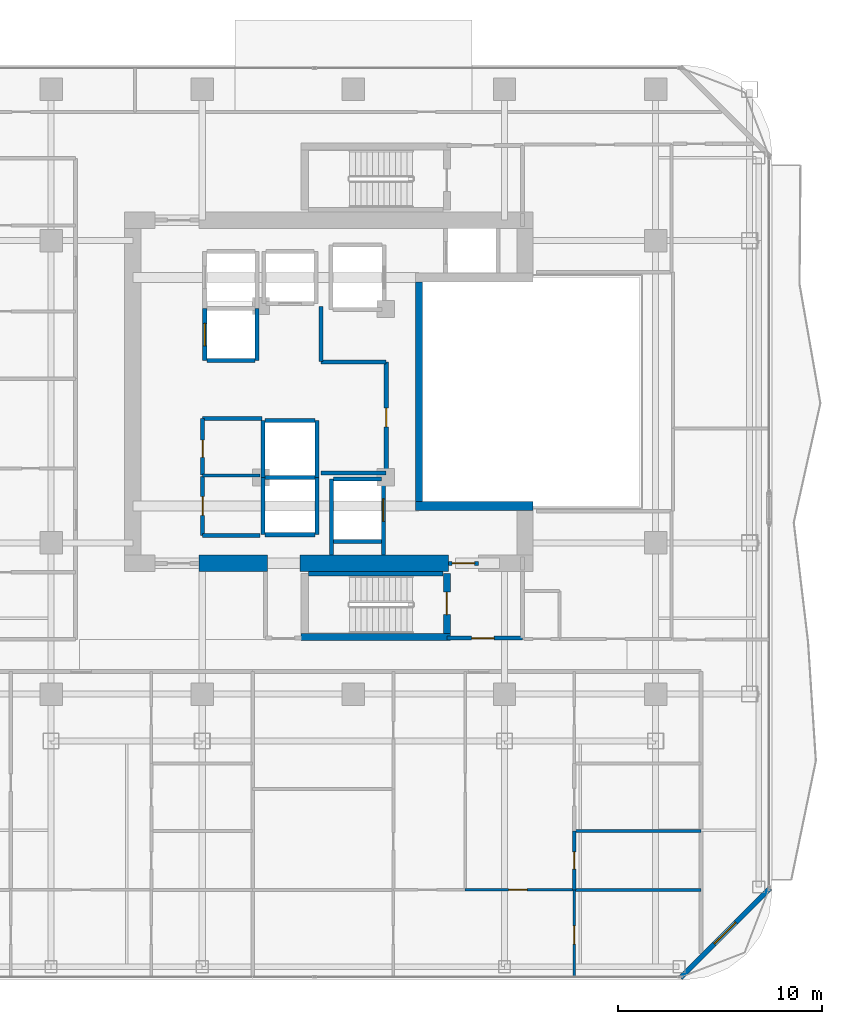
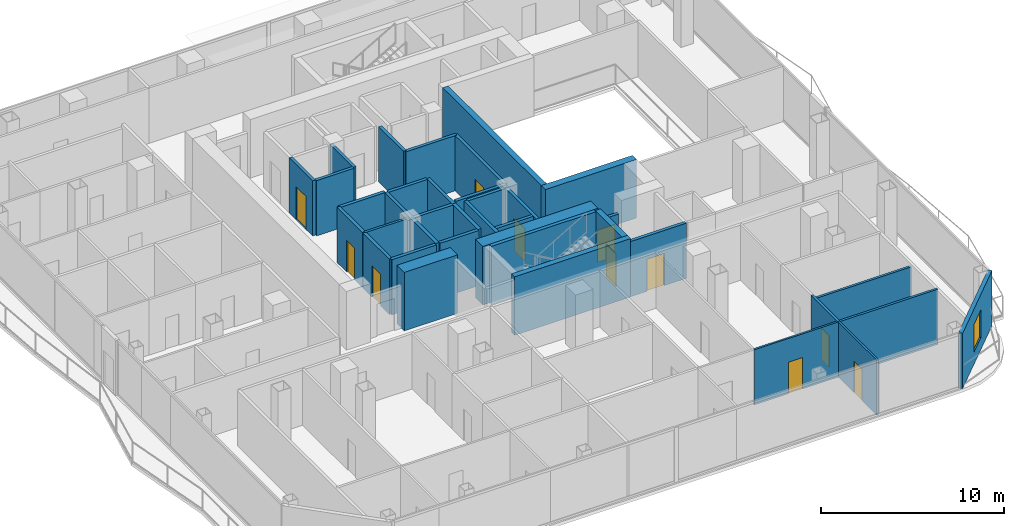
# One storey, part 18 of 23: 38 walls, 11 doors, 1 window, 12 openings.
"""IFC4 building model written with IfcOpenShell, lengths in metres."""

from ifc_helpers import new_model, si_unit, direction, frame, frame_2d, origin, place, context, subcontext, project, spatial, rectangle, extrude, material, layer, layer_set, type_object, element, fill, save


model = new_model("IFC4")

# Units and contexts
model_context = context("Model", 3, precision=1e-05, world=origin(), true_north=direction((0.0, 1.0)))
body_context = subcontext(model_context, "Body", "Model", "MODEL_VIEW")
ifc_project = project(units=[si_unit("LENGTHUNIT", "METRE"), si_unit("AREAUNIT", "SQUARE_METRE"), si_unit("VOLUMEUNIT", "CUBIC_METRE"), si_unit("PLANEANGLEUNIT", "RADIAN"), si_unit("MASSUNIT", "GRAM", prefix="KILO")], contexts=[model_context])

# Site, building, storey
site_placement = place(None, origin())
site = spatial("IfcSite", under=ifc_project, at=site_placement, CompositionType="ELEMENT")
building_placement = place(site_placement, origin())
building = spatial("IfcBuilding", under=site, at=building_placement, Name="Khorvyn Point Tower", CompositionType="ELEMENT")
storey_placement = place(building_placement, frame((0.0, 0.0, 195.300048828125)))
storey = spatial("IfcBuildingStorey", under=building, at=storey_placement, Name="L48", CompositionType="ELEMENT", Elevation=195.300048828125)

# Wall, opening, window
ifc_material_1 = material(Name="Pale anodised aluminium rainscreen on steel stud", Category="steel")
ifc_layer_1 = layer(ifc_material_1, 0.239990234375)
ifc_layer_set_1 = layer_set([ifc_layer_1], Name="Anodised Aluminium Insulated Corner Spandrel Wall 240")
wall_type_1 = type_object("IfcWallType", Name="Anodised Aluminium Insulated Corner Spandrel Wall 240", PredefinedType="SOLIDWALL", material=ifc_layer_set_1)
wall_1_placement = place(storey_placement, frame((20.392333984375, -24.3076171875, 0.0), z_axis=(0.0, 0.0, 1.0), x_axis=(-0.707106781187, -0.707106781187, 0.0)))
wall_1 = element("IfcWall", 1, at=wall_1_placement, inside=storey, type_object=wall_type_1, Name="L48 Rounded Corner Wall SE", PredefinedType="SOLIDWALL", context=body_context, shape_type="SweptSolid", body=[
    extrude(rectangle(XDim=6.200927734375, YDim=0.239990234375, at=frame_2d((3.1005859375, 0.0))), origin(), (0.0, 0.0, 1.0), 3.679931640625),
])
opening_1_placement = place(wall_1_placement, frame((2.3505859375, 0.0, 0.800048828125)))
opening_1 = element("IfcOpeningElement", 2, at=opening_1_placement, cuts=wall_1, Name="Opening WN-1518", PredefinedType="OPENING", context=body_context, shape_type="SweptSolid", body=[
    extrude(rectangle(XDim=1.5, YDim=1.85009765625, at=frame_2d((0.75, 0.925048828125))), frame((0.0, 0.1298828125, 0.0), z_axis=(0.0, -1.0, 0.0), x_axis=(1.0, 0.0, 0.0)), (0.0, 0.0, 1.0), 0.260009765625),
])
ifc_material_2 = material(Name="Anodised aluminium 6063-T6 and laminated Low-E glass", Category="aluminium")
window_type = type_object("IfcWindowType", Name="Anodised Aluminium Rounded-Corner Panoramic Window 1500x1850", PartitioningType="SINGLE_PANEL", PredefinedType="WINDOW", material=ifc_material_2)
window_placement = place(opening_1_placement, origin())
window = element("IfcWindow", 3, at=window_placement, inside=storey, type_object=window_type, Name="L48 Corner Panoramic Window SE", OverallHeight=1.85009765625, OverallWidth=1.5, PartitioningType="SINGLE_PANEL", PredefinedType="WINDOW", context=body_context, shape_type="SweptSolid", body=[
    extrude(rectangle(XDim=1.5, YDim=1.85009765625, at=frame_2d((0.75, 0.925048828125))), frame((0.0, 0.030029296875, 0.0), z_axis=(0.0, -1.0, 0.0), x_axis=(1.0, 0.0, 0.0)), (0.0, 0.0, 1.0), 0.06005859375),
])
fill(opening_1, window)

# Wall
ifc_material_3 = material(Name="Concrete C40/50", Category="concrete")
ifc_layer_2 = layer(ifc_material_3, 0.449951171875)
ifc_layer_set_2 = layer_set([ifc_layer_2], Name="Concrete C40/50 Core Shear Wall 450")
wall_type_2 = type_object("IfcWallType", Name="Concrete C40/50 Core Shear Wall 450", PredefinedType="SHEAR", material=ifc_layer_set_2)
wall_2_placement = place(storey_placement, frame((3.044921875, -5.60009765625, 0.0), z_axis=(0.0, 0.0, 1.0), x_axis=(1.0, 0.0, 0.0)))
element("IfcWall", 4, at=wall_2_placement, inside=storey, type_object=wall_type_2, Name="Wall", PredefinedType="SHEAR", context=body_context, shape_type="SweptSolid", body=[
    extrude(rectangle(XDim=5.755126953125, YDim=0.449951171875, at=frame_2d((2.87744140625, 0.0))), origin(), (0.0, 0.0, 1.0), 3.89990234375),
])

# Wall, opening, door
ifc_layer_3 = layer(ifc_material_3, 0.199951171875)
ifc_layer_set_3 = layer_set([ifc_layer_3], Name="Concrete C40/50 Fire-Lobby Compartment Wall 200")
wall_type_3 = type_object("IfcWallType", Name="Concrete C40/50 Fire-Lobby Compartment Wall 200", PredefinedType="SOLIDWALL", material=ifc_layer_set_3)
wall_3_placement = place(storey_placement, frame((4.580078125, -12.06005859375, 0.0), z_axis=(0.0, 0.0, 1.0), x_axis=(1.0, 0.0, 0.0)))
wall_3 = element("IfcWall", 5, at=wall_3_placement, inside=storey, type_object=wall_type_3, Name="Wall", PredefinedType="SOLIDWALL", context=body_context, shape_type="SweptSolid", body=[
    extrude(rectangle(XDim=3.699951171875, YDim=0.199951171875, at=frame_2d((1.85009765625, 0.0))), origin(), (0.0, 0.0, 1.0), 3.679931640625),
])
opening_2_placement = place(wall_3_placement, frame((1.21240234375, 0.0, 0.0)))
opening_2 = element("IfcOpeningElement", 6, at=opening_2_placement, cuts=wall_3, Name="Opening ID-FL90", PredefinedType="OPENING", context=body_context, shape_type="SweptSolid", body=[
    extrude(rectangle(XDim=1.10009765625, YDim=2.14990234375, at=frame_2d((0.550048828125, 1.074951171875))), frame((0.0, 0.10986328125, 0.0), z_axis=(0.0, -1.0, 0.0), x_axis=(1.0, 0.0, 0.0)), (0.0, 0.0, 1.0), 0.219970703125),
])
ifc_material_4 = material(Name="Galvanised powder-coated steel", Category="steel")
door_type_1 = type_object("IfcDoorType", Name="Fire-Rated Steel Lobby and Stair Door 1100x2150", OperationType="NOTDEFINED", PredefinedType="DOOR", material=ifc_material_4)
door_1_placement = place(opening_2_placement, origin())
door_1 = element("IfcDoor", 7, at=door_1_placement, inside=storey, type_object=door_type_1, Name="Door", OperationType="SINGLE_SWING_LEFT", OverallHeight=2.14990234375, OverallWidth=1.10009765625, PredefinedType="DOOR", context=body_context, shape_type="SweptSolid", body=[
    extrude(rectangle(XDim=1.10009765625, YDim=2.14990234375, at=frame_2d((0.550048828125, 1.074951171875))), frame((0.0, 0.02490234375, 0.0), z_axis=(0.0, -1.0, 0.0), x_axis=(1.0, 0.0, 0.0)), (0.0, 0.0, 1.0), 0.050048828125),
])
fill(opening_2, door_1)

wall_4_placement = place(storey_placement, frame((4.64990234375, -8.39990234375, 0.0), z_axis=(0.0, 0.0, 1.0), x_axis=(1.0, 0.0, 0.0)))
wall_4 = element("IfcWall", 8, at=wall_4_placement, inside=storey, type_object=wall_type_3, Name="Wall", PredefinedType="SOLIDWALL", context=body_context, shape_type="SweptSolid", body=[
    extrude(rectangle(XDim=1.47021484375, YDim=0.199951171875, at=frame_2d((0.735107421875, 0.0))), origin(), (0.0, 0.0, 1.0), 2.820068359375),
])
opening_3_placement = place(wall_4_placement, frame((0.18505859375, 0.0, 0.0)))
opening_3 = element("IfcOpeningElement", 9, at=opening_3_placement, cuts=wall_4, Name="Opening ID-FL90", PredefinedType="OPENING", context=body_context, shape_type="SweptSolid", body=[
    extrude(rectangle(XDim=1.10009765625, YDim=2.14990234375, at=frame_2d((0.550048828125, 1.074951171875))), frame((0.0, 0.10986328125, 0.0), z_axis=(0.0, -1.0, 0.0), x_axis=(1.0, 0.0, 0.0)), (0.0, 0.0, 1.0), 0.219970703125),
])
door_2_placement = place(opening_3_placement, origin())
door_2 = element("IfcDoor", 10, at=door_2_placement, inside=storey, type_object=door_type_1, Name="Door", OperationType="SINGLE_SWING_RIGHT", OverallHeight=2.14990234375, OverallWidth=1.10009765625, PredefinedType="DOOR", context=body_context, shape_type="SweptSolid", body=[
    extrude(rectangle(XDim=1.10009765625, YDim=2.14990234375, at=frame_2d((0.550048828125, 1.074951171875))), frame((0.0, 0.02490234375, 0.0), z_axis=(0.0, -1.0, 0.0), x_axis=(1.0, 0.0, 0.0)), (0.0, 0.0, 1.0), 0.050048828125),
])
fill(opening_3, door_2)

wall_5_placement = place(storey_placement, frame((1.610107421875, -3.97998046875, 0.0), z_axis=(0.0, 0.0, 1.0), x_axis=(0.0, 1.0, 0.0)))
wall_5 = element("IfcWall", 11, at=wall_5_placement, inside=storey, type_object=wall_type_3, Name="Wall", PredefinedType="SOLIDWALL", context=body_context, shape_type="SweptSolid", body=[
    extrude(rectangle(XDim=5.43994140625, YDim=0.199951171875, at=frame_2d((2.719970703125, 0.0))), origin(), (0.0, 0.0, 1.0), 3.679931640625),
])
opening_4_placement = place(wall_5_placement, frame((2.260009765625, 0.0, 0.0)))
opening_4 = element("IfcOpeningElement", 12, at=opening_4_placement, cuts=wall_5, Name="Opening ID-RS60", PredefinedType="OPENING", context=body_context, shape_type="SweptSolid", body=[
    extrude(rectangle(XDim=0.919921875, YDim=2.10009765625, at=frame_2d((0.4599609375, 1.050048828125))), frame((0.0, 0.10986328125, 0.0), z_axis=(0.0, -1.0, 0.0), x_axis=(1.0, 0.0, 0.0)), (0.0, 0.0, 1.0), 0.219970703125),
])
door_type_2 = type_object("IfcDoorType", Name="Fire-Rated Riser and Store Steel Door 920x2100", OperationType="NOTDEFINED", PredefinedType="DOOR", material=ifc_material_4)
door_3_placement = place(opening_4_placement, origin())
door_3 = element("IfcDoor", 13, at=door_3_placement, inside=storey, type_object=door_type_2, Name="Door", OperationType="SINGLE_SWING_LEFT", OverallHeight=2.10009765625, OverallWidth=0.919921875, PredefinedType="DOOR", context=body_context, shape_type="SweptSolid", body=[
    extrude(rectangle(XDim=0.919921875, YDim=2.10009765625, at=frame_2d((0.4599609375, 1.050048828125))), frame((0.0, 0.02490234375, 0.0), z_axis=(0.0, -1.0, 0.0), x_axis=(1.0, 0.0, 0.0)), (0.0, 0.0, 1.0), 0.050048828125),
])
fill(opening_4, door_3)

wall_6_placement = place(storey_placement, frame((-7.3798828125, -7.0400390625, 0.0), z_axis=(0.0, 0.0, 1.0), x_axis=(0.0, 1.0, 0.0)))
wall_6 = element("IfcWall", 14, at=wall_6_placement, inside=storey, type_object=wall_type_3, Name="Wall", PredefinedType="SOLIDWALL", context=body_context, shape_type="SweptSolid", body=[
    extrude(rectangle(XDim=2.900146484375, YDim=0.199951171875, at=frame_2d((1.4501953125, 0.0))), origin(), (0.0, 0.0, 1.0), 3.679931640625),
])
opening_5_placement = place(wall_6_placement, frame((0.989990234375, 0.0, 0.0)))
opening_5 = element("IfcOpeningElement", 15, at=opening_5_placement, cuts=wall_6, Name="Opening ID-RS60", PredefinedType="OPENING", context=body_context, shape_type="SweptSolid", body=[
    extrude(rectangle(XDim=0.919921875, YDim=2.10009765625, at=frame_2d((0.4599609375, 1.050048828125))), frame((0.0, 0.10986328125, 0.0), z_axis=(0.0, -1.0, 0.0), x_axis=(1.0, 0.0, 0.0)), (0.0, 0.0, 1.0), 0.219970703125),
])
door_4_placement = place(opening_5_placement, origin())
door_4 = element("IfcDoor", 16, at=door_4_placement, inside=storey, type_object=door_type_2, Name="Door", OperationType="SINGLE_SWING_RIGHT", OverallHeight=2.10009765625, OverallWidth=0.919921875, PredefinedType="DOOR", context=body_context, shape_type="SweptSolid", body=[
    extrude(rectangle(XDim=0.919921875, YDim=2.10009765625, at=frame_2d((0.4599609375, 1.050048828125))), frame((0.0, 0.02490234375, 0.0), z_axis=(0.0, -1.0, 0.0), x_axis=(1.0, 0.0, 0.0)), (0.0, 0.0, 1.0), 0.050048828125),
])
fill(opening_5, door_4)

wall_7_placement = place(storey_placement, frame((-7.3798828125, -4.080078125, 0.0), z_axis=(0.0, 0.0, 1.0), x_axis=(0.0, 1.0, 0.0)))
wall_7 = element("IfcWall", 17, at=wall_7_placement, inside=storey, type_object=wall_type_3, Name="Wall", PredefinedType="SOLIDWALL", context=body_context, shape_type="SweptSolid", body=[
    extrude(rectangle(XDim=2.760009765625, YDim=0.199951171875, at=frame_2d((1.3798828125, 0.0))), origin(), (0.0, 0.0, 1.0), 3.679931640625),
])
opening_6_placement = place(wall_7_placement, frame((0.86669921875, 0.0, 0.0)))
opening_6 = element("IfcOpeningElement", 18, at=opening_6_placement, cuts=wall_7, Name="Opening ID-WC85", PredefinedType="OPENING", context=body_context, shape_type="SweptSolid", body=[
    extrude(rectangle(XDim=0.85009765625, YDim=2.10009765625, at=frame_2d((0.425048828125, 1.050048828125))), frame((0.0, 0.10986328125, 0.0), z_axis=(0.0, -1.0, 0.0), x_axis=(1.0, 0.0, 0.0)), (0.0, 0.0, 1.0), 0.219970703125),
])
ifc_material_5 = material(Name="High-pressure laminate on moisture-resistant core", Category="wood")
door_type_3 = type_object("IfcDoorType", Name="Moisture-Resistant Accessible Washroom Door 850x2100", OperationType="NOTDEFINED", PredefinedType="DOOR", material=ifc_material_5)
door_5_placement = place(opening_6_placement, origin())
door_5 = element("IfcDoor", 19, at=door_5_placement, inside=storey, type_object=door_type_3, Name="Door", OperationType="SINGLE_SWING_LEFT", OverallHeight=2.10009765625, OverallWidth=0.85009765625, PredefinedType="DOOR", context=body_context, shape_type="SweptSolid", body=[
    extrude(rectangle(XDim=0.85009765625, YDim=2.10009765625, at=frame_2d((0.425048828125, 1.050048828125))), frame((0.0, 0.02490234375, 0.0), z_axis=(0.0, -1.0, 0.0), x_axis=(1.0, 0.0, 0.0)), (0.0, 0.0, 1.0), 0.050048828125),
])
fill(opening_6, door_5)

# Walls
wall_8_placement = place(storey_placement, frame((-7.3798828125, -1.320068359375, 0.0), z_axis=(0.0, 0.0, 1.0), x_axis=(1.0, 0.0, 0.0)))
element("IfcWall", 20, at=wall_8_placement, inside=storey, type_object=wall_type_3, Name="Wall", PredefinedType="SOLIDWALL", context=body_context, shape_type="SweptSolid", body=[
    extrude(rectangle(XDim=2.909912109375, YDim=0.199951171875, at=frame_2d((1.455078125, 0.0))), origin(), (0.0, 0.0, 1.0), 3.679931640625),
])
wall_9_placement = place(storey_placement, frame((-1.580078125, 1.47998046875, 0.0), z_axis=(0.0, 0.0, 1.0), x_axis=(0.0, 1.0, 0.0)))
element("IfcWall", 21, at=wall_9_placement, inside=storey, type_object=wall_type_3, Name="Wall", PredefinedType="SOLIDWALL", context=body_context, shape_type="SweptSolid", body=[
    extrude(rectangle(XDim=2.699951171875, YDim=0.199951171875, at=frame_2d((1.35009765625, 0.0))), origin(), (0.0, 0.0, 1.0), 3.679931640625),
])
for number, where, z_axis, x_axis, name in (
    (22, (-1.580078125, -3.97998046875, 0.0), (0.0, 0.0, 1.0), (1.0, 0.0, 0.0), "Wall"),
    (23, (-1.580078125, 1.4599609375, 0.0), (0.0, 0.0, 1.0), (1.0, 0.0, 0.0), "Wall"),
):
    element("IfcWall", number, at=place(storey_placement, frame(where, z_axis=z_axis, x_axis=x_axis)), inside=storey, type_object=wall_type_3, Name=name, PredefinedType="SOLIDWALL", context=body_context, shape_type="SweptSolid", body=[
        extrude(rectangle(XDim=3.190185546875, YDim=0.199951171875, at=frame_2d((1.59521484375, 0.0))), origin(), (0.0, 0.0, 1.0), 3.679931640625),
    ])
wall_10_placement = place(storey_placement, frame((-7.3798828125, -7.0400390625, 0.0), z_axis=(0.0, 0.0, 1.0), x_axis=(1.0, 0.0, 0.0)))
element("IfcWall", 24, at=wall_10_placement, inside=storey, type_object=wall_type_3, Name="Wall", PredefinedType="SOLIDWALL", context=body_context, shape_type="SweptSolid", body=[
    extrude(rectangle(XDim=2.7998046875, YDim=0.199951171875, at=frame_2d((1.39990234375, 0.0))), origin(), (0.0, 0.0, 1.0), 3.679931640625),
])
ifc_layer_4 = layer(ifc_material_3, 0.25)
ifc_layer_set_4 = layer_set([ifc_layer_4], Name="Concrete C40/50 Stair Inner Cheek Structural Wall 250")
wall_type_4 = type_object("IfcWallType", Name="Concrete C40/50 Stair Inner Cheek Structural Wall 250", PredefinedType="SHEAR", material=ifc_layer_set_4)
wall_11_placement = place(storey_placement, frame((-2.199951171875, -8.91259765625, 0.0), z_axis=(0.0, 0.0, 1.0), x_axis=(1.0, 0.0, 0.0)))
element("IfcWall", 25, at=wall_11_placement, inside=storey, type_object=wall_type_4, Name="Wall", PredefinedType="SHEAR", context=body_context, shape_type="SweptSolid", body=[
    extrude(rectangle(XDim=6.599853515625, YDim=0.22509765625, at=frame_2d((3.2998046875, 0.0))), origin(), (0.0, 0.0, 1.0), 3.89990234375),
])
ifc_layer_5 = layer(ifc_material_3, 0.35009765625)
ifc_layer_set_5 = layer_set([ifc_layer_5], Name="Concrete C40/50 Stair Shaft Structural Wall 350")
wall_type_5 = type_object("IfcWallType", Name="Concrete C40/50 Stair Shaft Structural Wall 350", PredefinedType="SHEAR", material=ifc_layer_set_5)
wall_12_placement = place(storey_placement, frame((3.219970703125, -5.375, 0.0), z_axis=(0.0, 0.0, 1.0), x_axis=(0.0, 1.0, 0.0)))
element("IfcWall", 26, at=wall_12_placement, inside=storey, type_object=wall_type_5, Name="Wall", PredefinedType="SHEAR", context=body_context, shape_type="SweptSolid", body=[
    extrude(rectangle(XDim=10.75, YDim=0.35009765625, at=frame_2d((5.375, 0.0))), origin(), (0.0, 0.0, 1.0), 3.89990234375),
])
wall_13_placement = place(storey_placement, frame((-2.554931640625, -12.0, 0.0), z_axis=(0.0, 0.0, 1.0), x_axis=(1.0, 0.0, 0.0)))
element("IfcWall", 27, at=wall_13_placement, inside=storey, type_object=wall_type_5, Name="L48 ST-01 South Shaft Wall", PredefinedType="SHEAR", context=body_context, shape_type="SweptSolid", body=[
    extrude(rectangle(XDim=7.309814453125, YDim=0.35009765625, at=frame_2d((3.65478515625, 0.0))), origin(), (0.0, 0.0, 1.0), 3.89990234375),
])

# Wall, opening, door
wall_14_placement = place(storey_placement, frame((4.580078125, -8.89990234375, 0.0), z_axis=(0.0, 0.0, 1.0), x_axis=(0.0, -1.0, 0.0)))
wall_14 = element("IfcWall", 28, at=wall_14_placement, inside=storey, type_object=wall_type_5, Name="L48 ST-01 East Landing Door Wall", PredefinedType="SHEAR", context=body_context, shape_type="SweptSolid", body=[
    extrude(rectangle(XDim=2.925048828125, YDim=0.35009765625, at=frame_2d((1.46240234375, 0.0))), origin(), (0.0, 0.0, 1.0), 3.89990234375),
])
opening_7_placement = place(wall_14_placement, frame((0.91259765625, 0.0, 0.0)))
opening_7 = element("IfcOpeningElement", 29, at=opening_7_placement, cuts=wall_14, Name="Opening ID-FL90", PredefinedType="OPENING", context=body_context, shape_type="SweptSolid", body=[
    extrude(rectangle(XDim=1.10009765625, YDim=2.14990234375, at=frame_2d((0.550048828125, 1.074951171875))), frame((0.0, 0.18505859375, 0.0), z_axis=(0.0, -1.0, 0.0), x_axis=(1.0, 0.0, 0.0)), (0.0, 0.0, 1.0), 0.3701171875),
])
door_6_placement = place(opening_7_placement, origin())
door_6 = element("IfcDoor", 30, at=door_6_placement, inside=storey, type_object=door_type_1, Name="L48 ST-01 Smokeproof Landing Door", OperationType="SINGLE_SWING_RIGHT", OverallHeight=2.14990234375, OverallWidth=1.10009765625, PredefinedType="DOOR", context=body_context, shape_type="SweptSolid", body=[
    extrude(rectangle(XDim=1.10009765625, YDim=2.14990234375, at=frame_2d((0.550048828125, 1.074951171875))), frame((0.0, 0.02490234375, 0.0), z_axis=(0.0, -1.0, 0.0), x_axis=(1.0, 0.0, 0.0)), (0.0, 0.0, 1.0), 0.050048828125),
])
fill(opening_7, door_6)

ifc_layer_6 = layer(ifc_material_3, 0.199951171875)
ifc_layer_set_6 = layer_set([ifc_layer_6], Name="Concrete C40/50 Structural Hoistway and Stair Shaft Wall 200")
wall_type_6 = type_object("IfcWallType", Name="Concrete C40/50 Structural Hoistway and Stair Shaft Wall 200", PredefinedType="SHEAR", material=ifc_layer_set_6)
wall_15_placement = place(storey_placement, frame((-7.27490234375, 1.52490234375, 0.0), z_axis=(0.0, 0.0, 1.0), x_axis=(0.0, 1.0, 0.0)))
wall_15 = element("IfcWall", 31, at=wall_15_placement, inside=storey, type_object=wall_type_6, Name="Wall", PredefinedType="SHEAR", context=body_context, shape_type="SweptSolid", body=[
    extrude(rectangle(XDim=2.550048828125, YDim=0.199951171875, at=frame_2d((1.27490234375, 0.0))), origin(), (0.0, 0.0, 1.0), 3.679931640625),
])
opening_8_placement = place(wall_15_placement, frame((0.72509765625, 0.0, 0.0)))
opening_8 = element("IfcOpeningElement", 32, at=opening_8_placement, cuts=wall_15, Name="Opening LD-1122", PredefinedType="OPENING", context=body_context, shape_type="SweptSolid", body=[
    extrude(rectangle(XDim=1.10009765625, YDim=2.199951171875, at=frame_2d((0.550048828125, 1.10009765625))), frame((0.0, 0.10986328125, 0.0), z_axis=(0.0, -1.0, 0.0), x_axis=(1.0, 0.0, 0.0)), (0.0, 0.0, 1.0), 0.219970703125),
])
ifc_material_6 = material(Name="Stainless steel 1.4301", Category="steel")
door_type_4 = type_object("IfcDoorType", Name="Stainless Steel Automatic Sliding Lift Landing Door 1100x2200", OperationType="SLIDING_TO_LEFT", PredefinedType="DOOR", material=ifc_material_6)
door_7_placement = place(opening_8_placement, origin())
door_7 = element("IfcDoor", 33, at=door_7_placement, inside=storey, type_object=door_type_4, Name="L48 RM-01 Sliding Lift Landing Door", OperationType="SLIDING_TO_LEFT", OverallHeight=2.199951171875, OverallWidth=1.10009765625, PredefinedType="DOOR", context=body_context, shape_type="SweptSolid", body=[
    extrude(rectangle(XDim=1.10009765625, YDim=2.199951171875, at=frame_2d((0.550048828125, 1.10009765625))), frame((0.0, 0.02490234375, 0.0), z_axis=(0.0, -1.0, 0.0), x_axis=(1.0, 0.0, 0.0)), (0.0, 0.0, 1.0), 0.050048828125),
])
fill(opening_8, door_7)

# Walls
wall_16_placement = place(storey_placement, frame((-4.72509765625, 1.52490234375, 0.0), z_axis=(0.0, 0.0, 1.0), x_axis=(0.0, 1.0, 0.0)))
element("IfcWall", 34, at=wall_16_placement, inside=storey, type_object=wall_type_6, Name="Wall", PredefinedType="SHEAR", context=body_context, shape_type="SweptSolid", body=[
    extrude(rectangle(XDim=2.550048828125, YDim=0.199951171875, at=frame_2d((1.27490234375, 0.0))), origin(), (0.0, 0.0, 1.0), 3.679931640625),
])
wall_17_placement = place(storey_placement, frame((-7.175048828125, 1.52490234375, 0.0), z_axis=(0.0, 0.0, 1.0), x_axis=(1.0, 0.0, 0.0)))
element("IfcWall", 35, at=wall_17_placement, inside=storey, type_object=wall_type_6, Name="Wall", PredefinedType="SHEAR", context=body_context, shape_type="SweptSolid", body=[
    extrude(rectangle(XDim=2.35009765625, YDim=0.199951171875, at=frame_2d((1.175048828125, 0.0))), origin(), (0.0, 0.0, 1.0), 3.679931640625),
])
for number, where, z_axis, x_axis, name in (
    (36, (-4.425048828125, -7.0, 0.0), (0.0, 0.0, 1.0), (0.0, 1.0, 0.0), "Wall"),
    (37, (-1.77490234375, -7.0, 0.0), (0.0, 0.0, 1.0), (0.0, 1.0, 0.0), "Wall"),
):
    element("IfcWall", number, at=place(storey_placement, frame(where, z_axis=z_axis, x_axis=x_axis)), inside=storey, type_object=wall_type_6, Name=name, PredefinedType="SHEAR", context=body_context, shape_type="SweptSolid", body=[
        extrude(rectangle(XDim=2.800048828125, YDim=0.199951171875, at=frame_2d((1.39990234375, 0.0))), origin(), (0.0, 0.0, 1.0), 3.679931640625),
    ])
for number, where, z_axis, x_axis, name in (
    (38, (-4.324951171875, -7.0, 0.0), (0.0, 0.0, 1.0), (1.0, 0.0, 0.0), "Wall"),
    (39, (-4.324951171875, -4.199951171875, 0.0), (0.0, 0.0, 1.0), (1.0, 0.0, 0.0), "Wall"),
):
    element("IfcWall", number, at=place(storey_placement, frame(where, z_axis=z_axis, x_axis=x_axis)), inside=storey, type_object=wall_type_6, Name=name, PredefinedType="SHEAR", context=body_context, shape_type="SweptSolid", body=[
        extrude(rectangle(XDim=2.449951171875, YDim=0.199951171875, at=frame_2d((1.22509765625, 0.0))), origin(), (0.0, 0.0, 1.0), 3.679931640625),
    ])
for number, where, z_axis, x_axis, name in (
    (40, (-4.425048828125, -4.199951171875, 0.0), (0.0, 0.0, 1.0), (0.0, 1.0, 0.0), "Wall"),
    (41, (-1.77490234375, -4.199951171875, 0.0), (0.0, 0.0, 1.0), (0.0, 1.0, 0.0), "Wall"),
):
    element("IfcWall", number, at=place(storey_placement, frame(where, z_axis=z_axis, x_axis=x_axis)), inside=storey, type_object=wall_type_6, Name=name, PredefinedType="SHEAR", context=body_context, shape_type="SweptSolid", body=[
        extrude(rectangle(XDim=2.800048828125, YDim=0.199951171875, at=frame_2d((1.39990234375, 0.0))), origin(), (0.0, 0.0, 1.0), 3.679931640625),
    ])
wall_18_placement = place(storey_placement, frame((-4.324951171875, -1.39990234375, 0.0), z_axis=(0.0, 0.0, 1.0), x_axis=(1.0, 0.0, 0.0)))
element("IfcWall", 42, at=wall_18_placement, inside=storey, type_object=wall_type_6, Name="Wall", PredefinedType="SHEAR", context=body_context, shape_type="SweptSolid", body=[
    extrude(rectangle(XDim=2.449951171875, YDim=0.199951171875, at=frame_2d((1.22509765625, 0.0))), origin(), (0.0, 0.0, 1.0), 3.679931640625),
])
wall_19_placement = place(storey_placement, frame((-1.074951171875, -8.0, 0.0), z_axis=(0.0, 0.0, 1.0), x_axis=(0.0, 1.0, 0.0)))
element("IfcWall", 43, at=wall_19_placement, inside=storey, type_object=wall_type_6, Name="Wall", PredefinedType="SHEAR", context=body_context, shape_type="SweptSolid", body=[
    extrude(rectangle(XDim=3.72509765625, YDim=0.199951171875, at=frame_2d((1.862548828125, 0.0))), origin(), (0.0, 0.0, 1.0), 3.679931640625),
])

# Wall, opening, door
wall_20_placement = place(storey_placement, frame((1.47509765625, -8.0, 0.0), z_axis=(0.0, 0.0, 1.0), x_axis=(0.0, 1.0, 0.0)))
wall_20 = element("IfcWall", 44, at=wall_20_placement, inside=storey, type_object=wall_type_6, Name="Wall", PredefinedType="SHEAR", context=body_context, shape_type="SweptSolid", body=[
    extrude(rectangle(XDim=3.72509765625, YDim=0.199951171875, at=frame_2d((1.862548828125, 0.0))), origin(), (0.0, 0.0, 1.0), 3.679931640625),
])
opening_9_placement = place(wall_20_placement, frame((1.64990234375, 0.0, 0.0)))
opening_9 = element("IfcOpeningElement", 45, at=opening_9_placement, cuts=wall_20, Name="Opening LD-1122", PredefinedType="OPENING", context=body_context, shape_type="SweptSolid", body=[
    extrude(rectangle(XDim=1.10009765625, YDim=2.199951171875, at=frame_2d((0.550048828125, 1.10009765625))), frame((0.0, 0.10986328125, 0.0), z_axis=(0.0, -1.0, 0.0), x_axis=(1.0, 0.0, 0.0)), (0.0, 0.0, 1.0), 0.219970703125),
])
door_8_placement = place(opening_9_placement, origin())
door_8 = element("IfcDoor", 46, at=door_8_placement, inside=storey, type_object=door_type_4, Name="L48 FF-01 Sliding Lift Landing Door", OperationType="SLIDING_TO_LEFT", OverallHeight=2.199951171875, OverallWidth=1.10009765625, PredefinedType="DOOR", context=body_context, shape_type="SweptSolid", body=[
    extrude(rectangle(XDim=1.10009765625, YDim=2.199951171875, at=frame_2d((0.550048828125, 1.10009765625))), frame((0.0, 0.02490234375, 0.0), z_axis=(0.0, -1.0, 0.0), x_axis=(1.0, 0.0, 0.0)), (0.0, 0.0, 1.0), 0.050048828125),
])
fill(opening_9, door_8)

# Walls
for number, where, z_axis, x_axis, name in (
    (47, (-0.97509765625, -7.324951171875, 0.0), (0.0, 0.0, 1.0), (1.0, 0.0, 0.0), "Wall"),
    (48, (-0.97509765625, -4.27490234375, 0.0), (0.0, 0.0, 1.0), (1.0, 0.0, 0.0), "Wall"),
):
    element("IfcWall", number, at=place(storey_placement, frame(where, z_axis=z_axis, x_axis=x_axis)), inside=storey, type_object=wall_type_6, Name=name, PredefinedType="SHEAR", context=body_context, shape_type="SweptSolid", body=[
        extrude(rectangle(XDim=2.35009765625, YDim=0.199951171875, at=frame_2d((1.175048828125, 0.0))), origin(), (0.0, 0.0, 1.0), 3.679931640625),
    ])
ifc_material_7 = material(Name="Concrete C45/55", Category="concrete")
ifc_layer_7 = layer(ifc_material_7, 0.800048828125)
ifc_layer_set_7 = layer_set([ifc_layer_7], Name="Concrete C45/55 Core Shear Wall 800")
wall_type_7 = type_object("IfcWallType", Name="Concrete C45/55 Core Shear Wall 800", PredefinedType="SHEAR", material=ifc_layer_set_7)
wall_21_placement = place(storey_placement, frame((-7.550048828125, -8.39990234375, 0.0), z_axis=(0.0, 0.0, 1.0), x_axis=(1.0, 0.0, 0.0)))
element("IfcWall", 49, at=wall_21_placement, inside=storey, type_object=wall_type_7, Name="Wall", PredefinedType="SHEAR", context=body_context, shape_type="SweptSolid", body=[
    extrude(rectangle(XDim=3.35009765625, YDim=0.800048828125, at=frame_2d((1.675048828125, 0.0))), origin(), (0.0, 0.0, 1.0), 3.89990234375),
])
wall_22_placement = place(storey_placement, frame((-2.6201171875, -8.39990234375, 0.0), z_axis=(0.0, 0.0, 1.0), x_axis=(1.0, 0.0, 0.0)))
element("IfcWall", 50, at=wall_22_placement, inside=storey, type_object=wall_type_7, Name="Wall", PredefinedType="SHEAR", context=body_context, shape_type="SweptSolid", body=[
    extrude(rectangle(XDim=7.27001953125, YDim=0.800048828125, at=frame_2d((3.635009765625, 0.0))), origin(), (0.0, 0.0, 1.0), 3.89990234375),
])

# Wall, opening, door
ifc_material_8 = material(Name="Gypsum plasterboard on steel stud", Category="steel")
ifc_layer_8 = layer(ifc_material_8, 0.1201171875)
ifc_layer_set_8 = layer_set([ifc_layer_8], Name="Gypsum Acoustic Stud Room Partition Wall 120")
wall_type_8 = type_object("IfcWallType", Name="Gypsum Acoustic Stud Room Partition Wall 120", PredefinedType="PARTITIONING", material=ifc_layer_set_8)
wall_23_placement = place(storey_placement, frame((5.471923828125, -24.389892578125, 0.0), z_axis=(0.0, 0.0, 1.0), x_axis=(1.0, 0.0, 0.0)))
wall_23 = element("IfcWall", 51, at=wall_23_placement, inside=storey, type_object=wall_type_8, Name="Wall", PredefinedType="PARTITIONING", context=body_context, shape_type="SweptSolid", body=[
    extrude(rectangle(XDim=5.342041015625, YDim=0.1201171875, at=frame_2d((2.6708984375, 0.0))), origin(), (0.0, 0.0, 1.0), 3.679931640625),
])
opening_10_placement = place(wall_23_placement, frame((2.13134765625, 0.0, 0.0)))
opening_10 = element("IfcOpeningElement", 52, at=opening_10_placement, cuts=wall_23, Name="Opening ID-RM90", PredefinedType="OPENING", context=body_context, shape_type="SweptSolid", body=[
    extrude(rectangle(XDim=0.89990234375, YDim=2.10009765625, at=frame_2d((0.449951171875, 1.050048828125))), frame((0.0, 0.070068359375, 0.0), z_axis=(0.0, -1.0, 0.0), x_axis=(1.0, 0.0, 0.0)), (0.0, 0.0, 1.0), 0.14013671875),
])
ifc_material_9 = material(Name="Engineered oak veneer timber", Category="wood")
door_type_5 = type_object("IfcDoorType", Name="Flush Engineered Timber Room Door 900x2100", OperationType="NOTDEFINED", PredefinedType="DOOR", material=ifc_material_9)
door_9_placement = place(opening_10_placement, origin())
door_9 = element("IfcDoor", 53, at=door_9_placement, inside=storey, type_object=door_type_5, Name="Door", OperationType="SINGLE_SWING_LEFT", OverallHeight=2.10009765625, OverallWidth=0.89990234375, PredefinedType="DOOR", context=body_context, shape_type="SweptSolid", body=[
    extrude(rectangle(XDim=0.89990234375, YDim=2.10009765625, at=frame_2d((0.449951171875, 1.050048828125))), frame((0.0, 0.02490234375, 0.0), z_axis=(0.0, -1.0, 0.0), x_axis=(1.0, 0.0, 0.0)), (0.0, 0.0, 1.0), 0.050048828125),
])
fill(opening_10, door_9)

wall_24_placement = place(storey_placement, frame((10.81396484375, -28.6298828125, 0.0), z_axis=(0.0, 0.0, 1.0), x_axis=(0.0, 1.0, 0.0)))
wall_24 = element("IfcWall", 54, at=wall_24_placement, inside=storey, type_object=wall_type_8, Name="Wall", PredefinedType="PARTITIONING", context=body_context, shape_type="SweptSolid", body=[
    extrude(rectangle(XDim=4.239990234375, YDim=0.1201171875, at=frame_2d((2.1201171875, 0.0))), origin(), (0.0, 0.0, 1.0), 3.679931640625),
])
opening_11_placement = place(wall_24_placement, frame((1.581298828125, 0.0, 0.0)))
opening_11 = element("IfcOpeningElement", 55, at=opening_11_placement, cuts=wall_24, Name="Opening ID-RM90", PredefinedType="OPENING", context=body_context, shape_type="SweptSolid", body=[
    extrude(rectangle(XDim=0.89990234375, YDim=2.10009765625, at=frame_2d((0.449951171875, 1.050048828125))), frame((0.0, 0.070068359375, 0.0), z_axis=(0.0, -1.0, 0.0), x_axis=(1.0, 0.0, 0.0)), (0.0, 0.0, 1.0), 0.14013671875),
])
door_10_placement = place(opening_11_placement, origin())
door_10 = element("IfcDoor", 56, at=door_10_placement, inside=storey, type_object=door_type_5, Name="Door", OperationType="SINGLE_SWING_LEFT", OverallHeight=2.10009765625, OverallWidth=0.89990234375, PredefinedType="DOOR", context=body_context, shape_type="SweptSolid", body=[
    extrude(rectangle(XDim=0.89990234375, YDim=2.10009765625, at=frame_2d((0.449951171875, 1.050048828125))), frame((0.0, 0.02490234375, 0.0), z_axis=(0.0, -1.0, 0.0), x_axis=(1.0, 0.0, 0.0)), (0.0, 0.0, 1.0), 0.050048828125),
])
fill(opening_11, door_10)

ifc_material_10 = material(Name="Moisture-resistant gypsum and cement board", Category="gypsum")
ifc_layer_9 = layer(ifc_material_10, 0.14990234375)
ifc_layer_set_9 = layer_set([ifc_layer_9], Name="Moisture-Resistant Wet-Room Partition Wall 150")
wall_type_9 = type_object("IfcWallType", Name="Moisture-Resistant Wet-Room Partition Wall 150", PredefinedType="PARTITIONING", material=ifc_layer_set_9)
wall_25_placement = place(storey_placement, frame((10.81396484375, -24.389892578125, 0.0), z_axis=(0.0, 0.0, 1.0), x_axis=(0.0, 1.0, 0.0)))
wall_25 = element("IfcWall", 57, at=wall_25_placement, inside=storey, type_object=wall_type_9, Name="Wall", PredefinedType="PARTITIONING", context=body_context, shape_type="SweptSolid", body=[
    extrude(rectangle(XDim=2.885986328125, YDim=0.14990234375, at=frame_2d((1.44287109375, 0.0))), origin(), (0.0, 0.0, 1.0), 3.679931640625),
])
opening_12_placement = place(wall_25_placement, frame((1.01806640625, 0.0, 0.0)))
opening_12 = element("IfcOpeningElement", 58, at=opening_12_placement, cuts=wall_25, Name="Opening ID-WC85", PredefinedType="OPENING", context=body_context, shape_type="SweptSolid", body=[
    extrude(rectangle(XDim=0.85009765625, YDim=2.10009765625, at=frame_2d((0.425048828125, 1.050048828125))), frame((0.0, 0.0849609375, 0.0), z_axis=(0.0, -1.0, 0.0), x_axis=(1.0, 0.0, 0.0)), (0.0, 0.0, 1.0), 0.169921875),
])
door_11_placement = place(opening_12_placement, origin())
door_11 = element("IfcDoor", 59, at=door_11_placement, inside=storey, type_object=door_type_3, Name="Door", OperationType="SINGLE_SWING_RIGHT", OverallHeight=2.10009765625, OverallWidth=0.85009765625, PredefinedType="DOOR", context=body_context, shape_type="SweptSolid", body=[
    extrude(rectangle(XDim=0.85009765625, YDim=2.10009765625, at=frame_2d((0.425048828125, 1.050048828125))), frame((0.0, 0.02490234375, 0.0), z_axis=(0.0, -1.0, 0.0), x_axis=(1.0, 0.0, 0.0)), (0.0, 0.0, 1.0), 0.050048828125),
])
fill(opening_12, door_11)

# Walls
wall_26_placement = place(storey_placement, frame((-7.3798828125, -4.110107421875, 0.0), z_axis=(0.0, 0.0, 1.0), x_axis=(1.0, 0.0, 0.0)))
element("IfcWall", 60, at=wall_26_placement, inside=storey, type_object=wall_type_9, Name="Wall", PredefinedType="PARTITIONING", context=body_context, shape_type="SweptSolid", body=[
    extrude(rectangle(XDim=2.7998046875, YDim=0.14990234375, at=frame_2d((1.39990234375, 0.0))), origin(), (0.0, 0.0, 1.0), 3.679931640625),
])
wall_27_placement = place(storey_placement, frame((10.81396484375, -21.50390625, 0.0), z_axis=(0.0, 0.0, 1.0), x_axis=(1.0, 0.0, 0.0)))
element("IfcWall", 61, at=wall_27_placement, inside=storey, type_object=wall_type_9, Name="Wall", PredefinedType="PARTITIONING", context=body_context, shape_type="SweptSolid", body=[
    extrude(rectangle(XDim=6.2060546875, YDim=0.14990234375, at=frame_2d((3.10302734375, 0.0))), origin(), (0.0, 0.0, 1.0), 3.419921875),
])
wall_28_placement = place(storey_placement, frame((10.81396484375, -24.389892578125, 0.0), z_axis=(0.0, 0.0, 1.0), x_axis=(1.0, 0.0, 0.0)))
element("IfcWall", 62, at=wall_28_placement, inside=storey, type_object=wall_type_9, Name="Wall", PredefinedType="PARTITIONING", context=body_context, shape_type="SweptSolid", body=[
    extrude(rectangle(XDim=6.2060546875, YDim=0.14990234375, at=frame_2d((3.10302734375, 0.0))), origin(), (0.0, 0.0, 1.0), 3.679931640625),
])

save(model, "model.ifc")
